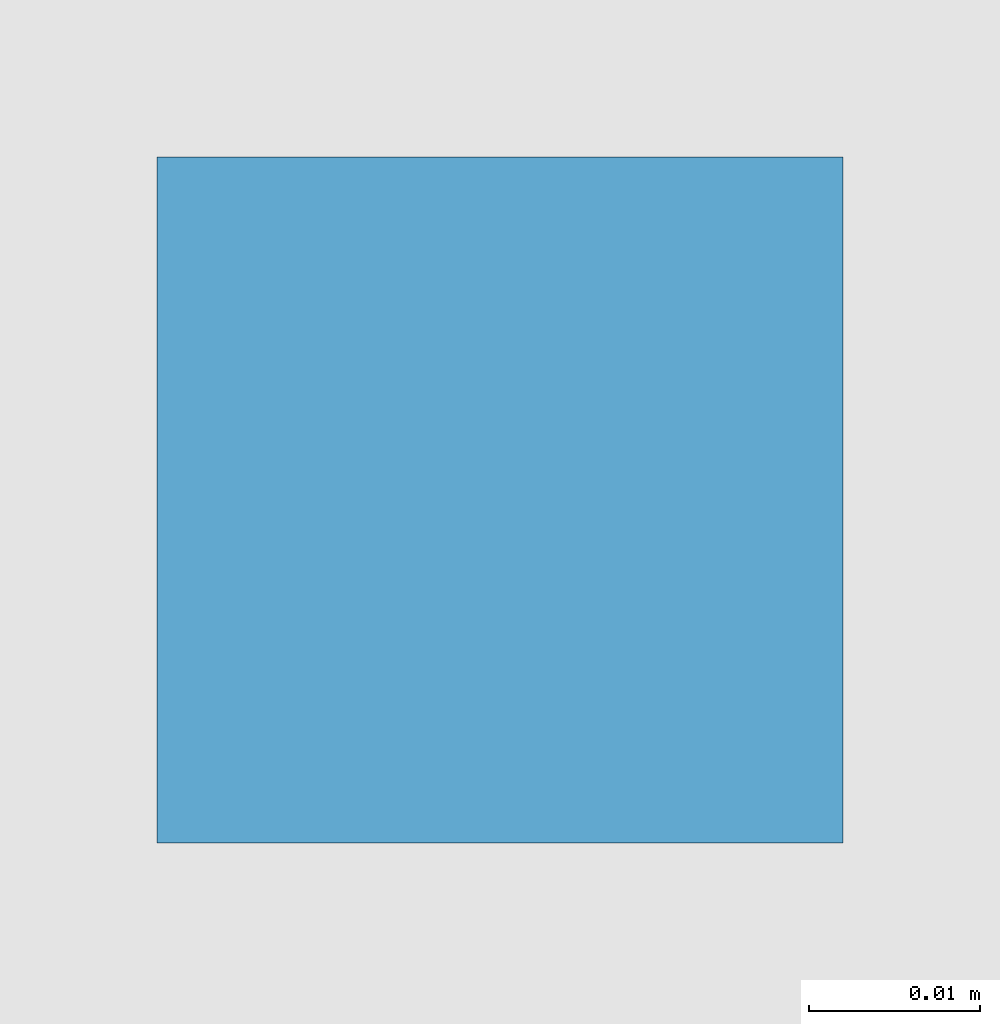
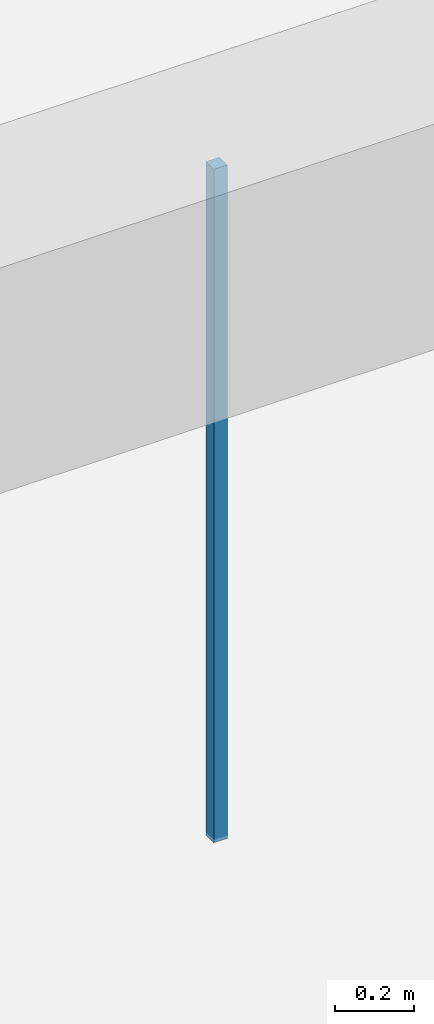
# One storey, part 101 of 157: 1 discrete accessory.
"""IFC4 building model written with IfcOpenShell, lengths in metres."""

from ifc_helpers import new_model, si_unit, direction, frame, origin, origin_2d, place, context, subcontext, project, spatial, rectangle, extrude, material, type_object, element, save


model = new_model("IFC4")

# Units and contexts
model_context = context("Model", 3, precision=1e-05, world=origin(), true_north=direction((0.0, 1.0)))
body_context = subcontext(model_context, "Body", "Model", "MODEL_VIEW")
ifc_project = project(units=[si_unit("LENGTHUNIT", "METRE"), si_unit("AREAUNIT", "SQUARE_METRE"), si_unit("VOLUMEUNIT", "CUBIC_METRE"), si_unit("PLANEANGLEUNIT", "RADIAN"), si_unit("MASSUNIT", "GRAM", prefix="KILO")], contexts=[model_context])

# Site, building, storey
site_placement = place(None, origin())
site = spatial("IfcSite", under=ifc_project, at=site_placement, CompositionType="ELEMENT")
building_placement = place(site_placement, origin())
building = spatial("IfcBuilding", under=site, at=building_placement, Name="Varncliffe General Hospital", CompositionType="ELEMENT")
storey_placement = place(building_placement, frame((0.0, 0.0, 5.39990234375)))
storey = spatial("IfcBuildingStorey", under=building, at=storey_placement, Name="L01", CompositionType="ELEMENT", Elevation=5.39990234375)

# Discrete accessory
ifc_material = material(Name="Powder-coated hospital steel guardrail and handrail", Category="steel")
discrete_accessory_type = type_object("IfcDiscreteAccessoryType", Name="Suspended Ceiling Hanger Bracket CH01", PredefinedType="BRACKET", material=ifc_material)
discrete_accessory_placement = place(storey_placement, frame((6.72998046875, 32.39990234375, 3.18994140625), z_axis=(0.0, 0.0, 1.0), x_axis=(1.0, 0.0, 0.0)))
element("IfcDiscreteAccessory", 1, at=discrete_accessory_placement, inside=storey, type_object=discrete_accessory_type, Name="L01 Suspended Ceiling Hanger 146", PredefinedType="BRACKET", context=body_context, shape_type="SweptSolid", body=[
    extrude(rectangle(XDim=0.0400390625, YDim=0.0400390625, at=origin_2d()), origin(), (0.0, 0.0, 1.0), 2.090087890625),
])

save(model, "model.ifc")
